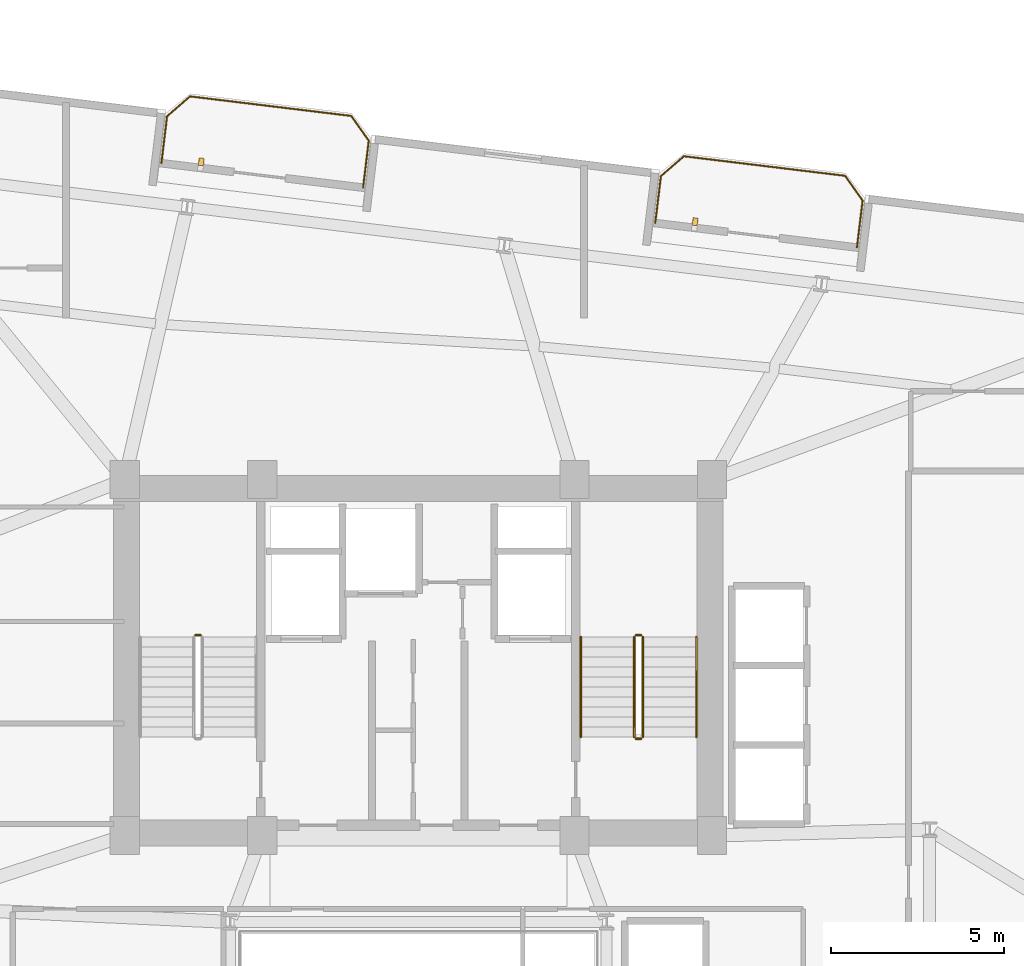
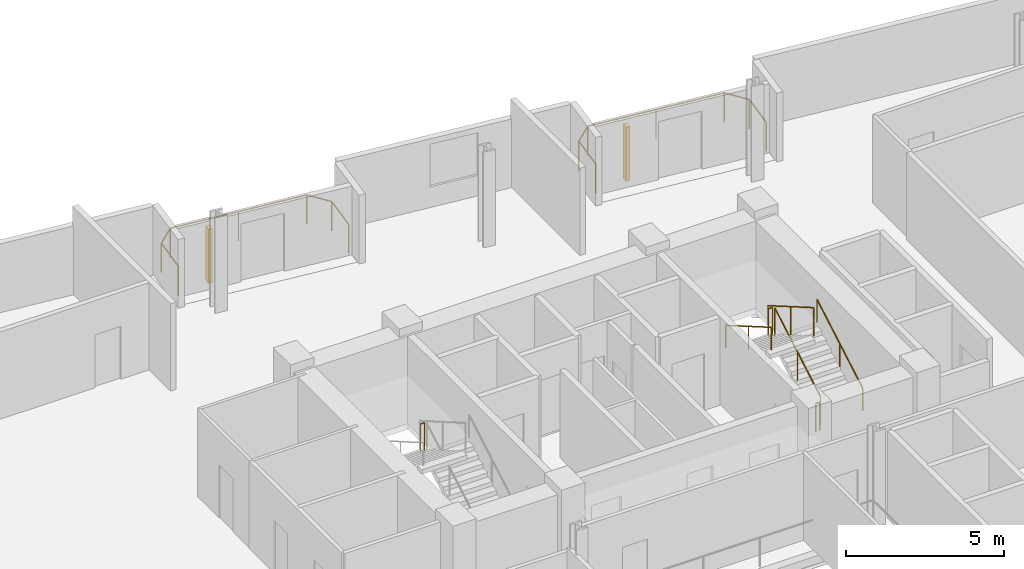
# One storey, part 26 of 26: 9 railings, 2 shading devices.
"""IFC4 building model written with IfcOpenShell, lengths in metres."""

from ifc_helpers import new_model, si_unit, direction, frame, origin, origin_2d, place, context, subcontext, project, spatial, rectangle, circle, extrude, source, transform, mapped, material, type_object, element, save


model = new_model("IFC4")

# Units and contexts
model_context = context("Model", 3, precision=1e-05, world=origin(), true_north=direction((0.0, 1.0)))
body_context = subcontext(model_context, "Body", "Model", "MODEL_VIEW")
ifc_project = project(units=[si_unit("LENGTHUNIT", "METRE"), si_unit("AREAUNIT", "SQUARE_METRE"), si_unit("VOLUMEUNIT", "CUBIC_METRE"), si_unit("PLANEANGLEUNIT", "RADIAN"), si_unit("MASSUNIT", "GRAM", prefix="KILO")], contexts=[model_context])

# Site, building, storey
site_placement = place(None, origin())
site = spatial("IfcSite", under=ifc_project, at=site_placement, CompositionType="ELEMENT")
building_placement = place(site_placement, origin())
building = spatial("IfcBuilding", under=site, at=building_placement, Name="Varnelok Gate Tower", CompositionType="ELEMENT")
storey_placement = place(building_placement, frame((0.0, 0.0, 158.699951171875)))
storey = spatial("IfcBuildingStorey", under=building, at=storey_placement, Name="L40", CompositionType="ELEMENT", Elevation=158.699951171875)

# Railings
ifc_material_1 = material(Name="Low-E Laminated Double Glazing IGU", Category="glass")
railing_type_1 = type_object("IfcRailingType", Name="RL-BALC-1150", PredefinedType="BALUSTRADE", material=ifc_material_1)
railing_1_placement = place(storey_placement, frame((31.76318359375, 48.21142578125, 0.0)))
element("IfcRailing", 1, at=railing_1_placement, inside=storey, type_object=railing_type_1, Name="L40 North Terrace Balustrade 3", PredefinedType="BALUSTRADE", context=body_context, shape_type="SweptSolid", body=[
    extrude(circle(Radius=0.02392578125, at=origin_2d()), frame((0.0, 0.0, 1.1259765625), z_axis=(0.120283471698, 0.992739586415, 0.0), x_axis=(-0.992739586415, 0.120283471698, 0.0)), (0.0, 0.0, 1.0), 1.3701171875),
    extrude(circle(Radius=0.02392578125, at=origin_2d()), frame((0.164794921875, 1.360107421875, 1.1259765625), z_axis=(0.756422670136, 0.654083132411, 0.0), x_axis=(-0.654083132411, 0.756422670136, 0.0)), (0.0, 0.0, 1.0), 0.8779296875),
    extrude(circle(Radius=0.02392578125, at=origin_2d()), frame((0.828857421875, 1.934326171875, 1.1259765625), z_axis=(0.992730585037, -0.120357739811, 0.0), x_axis=(0.120357739811, 0.992730585037, 0.0)), (0.0, 0.0, 1.0), 4.699951171875),
    extrude(circle(Radius=0.02392578125, at=origin_2d()), frame((5.49462890625, 1.36865234375, 1.1259765625), z_axis=(0.578287426437, -0.81583310329, 0.0), x_axis=(0.81583310329, 0.578287426437, 0.0)), (0.0, 0.0, 1.0), 0.877685546875),
    extrude(circle(Radius=0.02392578125, at=origin_2d()), frame((6.002197265625, 0.652587890625, 1.1259765625), z_axis=(-0.120283471698, -0.992739586415, 0.0), x_axis=(0.992739586415, -0.120283471698, 0.0)), (0.0, 0.0, 1.0), 1.3701171875),
    extrude(circle(Radius=0.02099609375, at=origin_2d()), origin(), (0.0, 0.0, 1.0), 1.101806640625),
    extrude(circle(Radius=0.02099609375, at=origin_2d()), frame((0.164794921875, 1.360107421875, 0.0)), (0.0, 0.0, 1.0), 1.101806640625),
    extrude(circle(Radius=0.02099609375, at=origin_2d()), frame((0.828857421875, 1.934326171875, 0.0)), (0.0, 0.0, 1.0), 1.101806640625),
    extrude(circle(Radius=0.02099609375, at=origin_2d()), frame((3.16162109375, 1.6513671875, 0.0)), (0.0, 0.0, 1.0), 1.101806640625),
    extrude(circle(Radius=0.02099609375, at=origin_2d()), frame((5.49462890625, 1.36865234375, 0.0)), (0.0, 0.0, 1.0), 1.101806640625),
    extrude(circle(Radius=0.02099609375, at=origin_2d()), frame((6.002197265625, 0.652587890625, 0.0)), (0.0, 0.0, 1.0), 1.101806640625),
    extrude(circle(Radius=0.02099609375, at=origin_2d()), frame((5.83740234375, -0.70751953125, 0.0)), (0.0, 0.0, 1.0), 1.101806640625),
])
railing_2_placement = place(storey_placement, frame((46.05859375, 46.478515625, 0.0)))
element("IfcRailing", 2, at=railing_2_placement, inside=storey, type_object=railing_type_1, Name="L40 North Terrace Balustrade 4", PredefinedType="BALUSTRADE", context=body_context, shape_type="SweptSolid", body=[
    extrude(circle(Radius=0.02392578125, at=origin_2d()), frame((0.0, 0.0, 1.1259765625), z_axis=(0.120283471698, 0.992739586415, 0.0), x_axis=(-0.992739586415, 0.120283471698, 0.0)), (0.0, 0.0, 1.0), 1.3701171875),
    extrude(circle(Radius=0.02392578125, at=origin_2d()), frame((0.164794921875, 1.360107421875, 1.1259765625), z_axis=(0.756422670136, 0.654083132411, 0.0), x_axis=(-0.654083132411, 0.756422670136, 0.0)), (0.0, 0.0, 1.0), 0.8779296875),
    extrude(circle(Radius=0.02392578125, at=origin_2d()), frame((0.828857421875, 1.934326171875, 1.1259765625), z_axis=(0.992730585037, -0.120357739811, 0.0), x_axis=(0.120357739811, 0.992730585037, 0.0)), (0.0, 0.0, 1.0), 4.699951171875),
    extrude(circle(Radius=0.02392578125, at=origin_2d()), frame((5.49462890625, 1.36865234375, 1.1259765625), z_axis=(0.57815621837, -0.815926091726, 0.0), x_axis=(0.815926091726, 0.57815621837, 0.0)), (0.0, 0.0, 1.0), 0.8779296875),
    extrude(circle(Radius=0.02392578125, at=origin_2d()), frame((6.002197265625, 0.65234375, 1.1259765625), z_axis=(-0.120480398116, -0.992715706368, 0.0), x_axis=(0.992715706368, -0.120480398116, 0.0)), (0.0, 0.0, 1.0), 1.369873046875),
    extrude(circle(Radius=0.02099609375, at=origin_2d()), origin(), (0.0, 0.0, 1.0), 1.101806640625),
    extrude(circle(Radius=0.02099609375, at=origin_2d()), frame((0.164794921875, 1.360107421875, 0.0)), (0.0, 0.0, 1.0), 1.101806640625),
    extrude(circle(Radius=0.02099609375, at=origin_2d()), frame((0.828857421875, 1.934326171875, 0.0)), (0.0, 0.0, 1.0), 1.101806640625),
    extrude(circle(Radius=0.02099609375, at=origin_2d()), frame((3.16162109375, 1.6513671875, 0.0)), (0.0, 0.0, 1.0), 1.101806640625),
    extrude(circle(Radius=0.02099609375, at=origin_2d()), frame((5.49462890625, 1.36865234375, 0.0)), (0.0, 0.0, 1.0), 1.101806640625),
    extrude(circle(Radius=0.02099609375, at=origin_2d()), frame((6.002197265625, 0.65234375, 0.0)), (0.0, 0.0, 1.0), 1.101806640625),
    extrude(circle(Radius=0.02099609375, at=origin_2d()), frame((5.837158203125, -0.70751953125, 0.0)), (0.0, 0.0, 1.0), 1.101806640625),
])
ifc_material_2 = material(Name="Brushed Stainless Steel AISI 316", Category="steel")
railing_type_2 = type_object("IfcRailingType", Name="RL-HANDRAIL-900", PredefinedType="HANDRAIL", material=ifc_material_2)
railing_3_placement = place(storey_placement, frame((47.25, 31.60009765625, 0.168212890625)))
element("IfcRailing", 3, at=railing_3_placement, inside=storey, type_object=railing_type_2, Name="L40 ST-2 stair handrail 1", PredefinedType="HANDRAIL", context=body_context, shape_type="SweptSolid", body=[
    extrude(circle(Radius=0.02392578125, at=origin_2d()), frame((0.0, 0.0, 0.8759765625), z_axis=(0.0, 0.865038774852, 0.501705010941), x_axis=(-1.0, 0.0, 0.0)), (0.0, 0.0, 1.0), 3.352294921875),
    extrude(circle(Radius=0.02099609375, at=origin_2d()), origin(), (0.0, 0.0, 1.0), 0.851806640625),
    extrude(circle(Radius=0.02099609375, at=origin_2d()), frame((0.0, 1.449951171875, 0.8408203125)), (0.0, 0.0, 1.0), 0.851806640625),
    extrude(circle(Radius=0.02099609375, at=origin_2d()), frame((0.0, 2.89990234375, 1.681884765625)), (0.0, 0.0, 1.0), 0.851806640625),
])
railing_4_placement = place(storey_placement, frame((43.89990234375, 34.5, 2.018310546875)))
element("IfcRailing", 4, at=railing_4_placement, inside=storey, type_object=railing_type_2, Name="L40 ST-2 stair handrail 2", PredefinedType="HANDRAIL", context=body_context, shape_type="SweptSolid", body=[
    extrude(circle(Radius=0.02392578125, at=origin_2d()), frame((0.0, 0.0, 0.8759765625), z_axis=(0.0, -0.86507038078, 0.501650512107), x_axis=(1.0, 0.0, 0.0)), (0.0, 0.0, 1.0), 3.352294921875),
    extrude(circle(Radius=0.02099609375, at=origin_2d()), origin(), (0.0, 0.0, 1.0), 0.851806640625),
    extrude(circle(Radius=0.02099609375, at=origin_2d()), frame((0.0, -1.449951171875, 0.8408203125)), (0.0, 0.0, 1.0), 0.851806640625),
    extrude(circle(Radius=0.02099609375, at=origin_2d()), frame((0.0, -2.89990234375, 1.681640625)), (0.0, 0.0, 1.0), 0.851806640625),
])
ifc_material_3 = material(Name="Galvanized Steel Grade S350GD", Category="steel")
railing_type_3 = type_object("IfcRailingType", Name="RL-STAIR-GUARD1120", PredefinedType="GUARDRAIL", material=ifc_material_3)
railing_5_placement = place(storey_placement, frame((32.89990234375, 34.550048828125, 1.85009765625)))
element("IfcRailing", 5, at=railing_5_placement, inside=storey, type_object=railing_type_3, Name="L40 ST-1 stair guard 2", PredefinedType="GUARDRAIL", context=body_context, shape_type="SweptSolid", body=[
    extrude(circle(Radius=0.02392578125, at=origin_2d()), frame((0.0, 0.0, 1.09619140625), z_axis=(-1.0, 0.0, 0.0), x_axis=(0.0, -1.0, 0.0)), (0.0, 0.0, 1.0), 0.14990234375),
    extrude(circle(Radius=0.02099609375, at=origin_2d()), origin(), (0.0, 0.0, 1.0), 1.072021484375),
    extrude(circle(Radius=0.02099609375, at=origin_2d()), frame((-0.14990234375, 0.0, 0.0)), (0.0, 0.0, 1.0), 1.072021484375),
])
railing_6_placement = place(storey_placement, frame((45.699951171875, 31.60009765625, 0.168212890625)))
element("IfcRailing", 6, at=railing_6_placement, inside=storey, type_object=railing_type_3, Name="L40 ST-2 stair guard 1", PredefinedType="GUARDRAIL", context=body_context, shape_type="SweptSolid", body=[
    extrude(circle(Radius=0.02392578125, at=origin_2d()), frame((0.0, 0.0, 1.09619140625), z_axis=(0.0, 0.865038774852, 0.501705010941), x_axis=(-1.0, 0.0, 0.0)), (0.0, 0.0, 1.0), 3.352294921875),
    extrude(circle(Radius=0.02099609375, at=origin_2d()), origin(), (0.0, 0.0, 1.0), 1.072021484375),
    extrude(circle(Radius=0.02099609375, at=origin_2d()), frame((0.0, 1.449951171875, 0.8408203125)), (0.0, 0.0, 1.0), 1.072021484375),
    extrude(circle(Radius=0.02099609375, at=origin_2d()), frame((0.0, 2.89990234375, 1.681884765625)), (0.0, 0.0, 1.0), 1.072021484375),
])
railing_7_placement = place(storey_placement, frame((45.64990234375, 34.550048828125, 1.85009765625)))
element("IfcRailing", 7, at=railing_7_placement, inside=storey, type_object=railing_type_3, Name="L40 ST-2 stair guard 2", PredefinedType="GUARDRAIL", context=body_context, shape_type="SweptSolid", body=[
    extrude(circle(Radius=0.02392578125, at=origin_2d()), frame((0.0, 0.0, 1.09619140625), z_axis=(-1.0, 0.0, 0.0), x_axis=(0.0, -1.0, 0.0)), (0.0, 0.0, 1.0), 0.14990234375),
    extrude(circle(Radius=0.02099609375, at=origin_2d()), origin(), (0.0, 0.0, 1.0), 1.072021484375),
    extrude(circle(Radius=0.02099609375, at=origin_2d()), frame((-0.14990234375, 0.0, 0.0)), (0.0, 0.0, 1.0), 1.072021484375),
])
railing_8_placement = place(storey_placement, frame((45.449951171875, 34.5, 2.018310546875)))
element("IfcRailing", 8, at=railing_8_placement, inside=storey, type_object=railing_type_3, Name="L40 ST-2 stair guard 3", PredefinedType="GUARDRAIL", context=body_context, shape_type="SweptSolid", body=[
    extrude(circle(Radius=0.02392578125, at=origin_2d()), frame((0.0, 0.0, 1.09619140625), z_axis=(0.0, -0.86507038078, 0.501650512107), x_axis=(1.0, 0.0, 0.0)), (0.0, 0.0, 1.0), 3.352294921875),
    extrude(circle(Radius=0.02099609375, at=origin_2d()), origin(), (0.0, 0.0, 1.0), 1.072021484375),
    extrude(circle(Radius=0.02099609375, at=origin_2d()), frame((0.0, -1.449951171875, 0.8408203125)), (0.0, 0.0, 1.0), 1.072021484375),
    extrude(circle(Radius=0.02099609375, at=origin_2d()), frame((0.0, -2.89990234375, 1.681640625)), (0.0, 0.0, 1.0), 1.072021484375),
])
railing_9_placement = place(storey_placement, frame((45.64990234375, 31.550048828125, 0.0)))
element("IfcRailing", 9, at=railing_9_placement, inside=storey, type_object=railing_type_3, Name="L40 ST-2 stair guard 4", PredefinedType="GUARDRAIL", context=body_context, shape_type="SweptSolid", body=[
    extrude(circle(Radius=0.02392578125, at=origin_2d()), frame((0.0, 0.0, 1.09619140625), z_axis=(-1.0, 0.0, 0.0), x_axis=(0.0, -1.0, 0.0)), (0.0, 0.0, 1.0), 0.14990234375),
    extrude(circle(Radius=0.02099609375, at=origin_2d()), origin(), (0.0, 0.0, 1.0), 1.072021484375),
    extrude(circle(Radius=0.02099609375, at=origin_2d()), frame((-0.14990234375, 0.0, 0.0)), (0.0, 0.0, 1.0), 1.072021484375),
])

# Shading devices
ifc_material_4 = material(Name="Glazed Architectural Terracotta Ceramic", Category="masonry")
shading_device_type = type_object("IfcShadingDeviceType", Name="SHD-TERRA-BAGUETTE", PredefinedType="USERDEFINED", material=ifc_material_4)
shared_shape = source(origin(), body_context, "Body", "SweptSolid", [
    extrude(rectangle(XDim=0.139892578125, YDim=0.219970703125, at=origin_2d()), origin(), (0.0, 0.0, 1.0), 2.10009765625),
])
for number, where, z_axis, x_axis, name in (
    (10, (32.91650390625, 48.2529296875, 0.10009765625), (0.0, 0.0, 1.0), (0.992732158755, -0.12034475881, 0.0), "L40 Terracotta Ceramic Baguette Sunscreen 3.1"),
    (11, (47.2119140625, 46.52001953125, 0.10009765625), (0.0, 0.0, 1.0), (0.992732158755, -0.12034475881, 0.0), "L40 Terracotta Ceramic Baguette Sunscreen 4.1"),
):
    element("IfcShadingDevice", number, at=place(storey_placement, frame(where, z_axis=z_axis, x_axis=x_axis)), inside=storey, type_object=shading_device_type, Name=name, ObjectType="BAGUETTE", PredefinedType="USERDEFINED", context=body_context, shape_type="MappedRepresentation", body=[
        mapped(shared_shape, transform((0.0, 0.0, 0.0), scale=1.0)),
    ])

save(model, "model.ifc")
